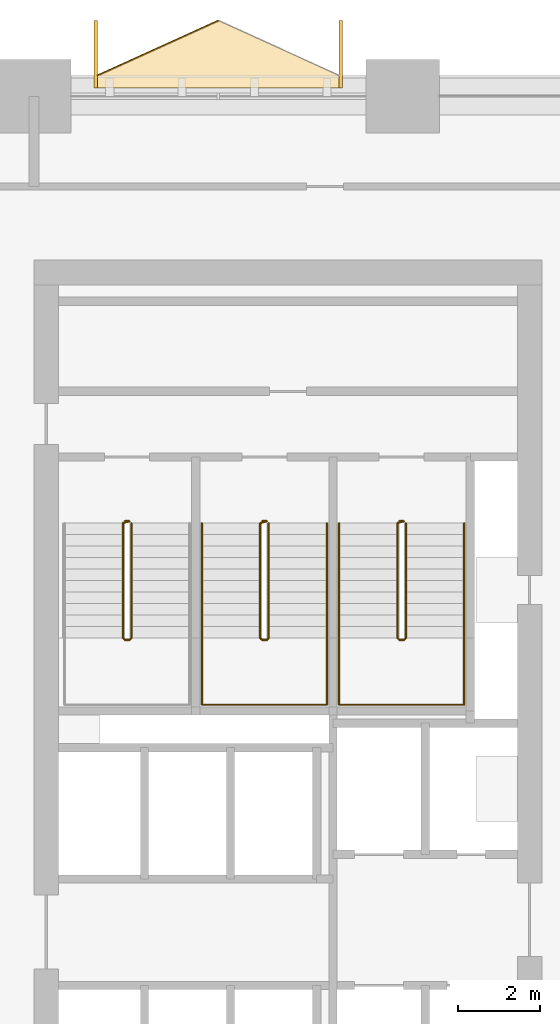
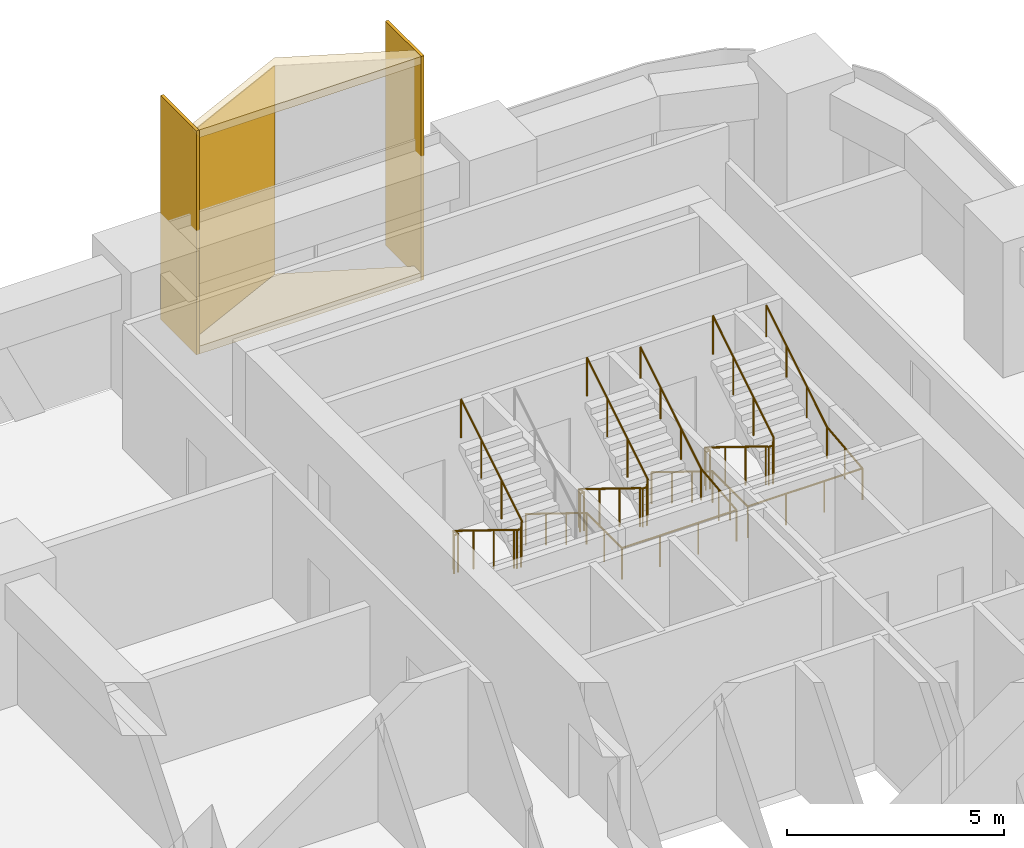
# One storey, part 26 of 26: 5 coverings, 5 railings.
"""IFC4 building model written with IfcOpenShell, lengths in metres."""

from ifc_helpers import new_model, si_unit, direction, frame, origin, origin_2d, place, context, subcontext, project, spatial, polyline, rectangle, circle, outline, extrude, material, layer, layer_set, type_object, element, save


model = new_model("IFC4")

# Units and contexts
model_context = context("Model", 3, precision=1e-05, world=origin(), true_north=direction((0.0, 1.0)))
body_context = subcontext(model_context, "Body", "Model", "MODEL_VIEW")
ifc_project = project(units=[si_unit("LENGTHUNIT", "METRE"), si_unit("AREAUNIT", "SQUARE_METRE"), si_unit("VOLUMEUNIT", "CUBIC_METRE"), si_unit("PLANEANGLEUNIT", "RADIAN"), si_unit("MASSUNIT", "GRAM", prefix="KILO")], contexts=[model_context])

# Site, building, storey
site_placement = place(None, origin())
site = spatial("IfcSite", under=ifc_project, at=site_placement, CompositionType="ELEMENT")
building_placement = place(site_placement, origin())
building = spatial("IfcBuilding", under=site, at=building_placement, Name="Tessera Arch", CompositionType="ELEMENT")
storey_placement = place(building_placement, frame((0.0, 0.0, 96.800048828125)))
storey = spatial("IfcBuildingStorey", under=building, at=storey_placement, Name="L22", CompositionType="ELEMENT", Elevation=96.800048828125)

# Railings
ifc_material_1 = material(Name="Painted steel balustrade", Category="steel")
railing_type_1 = type_object("IfcRailingType", Name="Stair guard 1100", PredefinedType="GUARDRAIL", material=ifc_material_1)
railing_1_placement = place(storey_placement, frame((38.219970703125, 43.6298828125, 0.0)))
element("IfcRailing", 1, at=railing_1_placement, inside=storey, type_object=railing_type_1, Name="L22 S1a stair guard 1", PredefinedType="GUARDRAIL", context=body_context, shape_type="SweptSolid", body=[
    extrude(circle(Radius=0.02392578125, at=origin_2d()), frame((-0.00390625, 0.0, 1.076171875), z_axis=(1.0, 0.0, 0.0), x_axis=(0.0, 1.0, 0.0)), (0.0, 0.0, 1.0), 0.1181640625),
    extrude(circle(Radius=0.02392578125, at=origin_2d()), frame((0.11279296875, 0.000732421875, 1.0732421875), z_axis=(-0.665449600336, -0.206938595226, 0.717184249143), x_axis=(0.296948579431, -0.954893471113, 0.0)), (0.0, 0.0, 1.0), 0.248779296875),
    extrude(circle(Radius=0.02392578125, at=origin_2d()), frame((-0.050048828125, -0.04638671875, 1.24658203125), z_axis=(0.0, -0.851089632645, 0.525020415988), x_axis=(1.0, 0.0, 0.0)), (0.0, 0.0, 1.0), 3.2978515625),
    extrude(circle(Radius=0.02392578125, at=origin_2d()), frame((-0.052978515625, -2.846923828125, 2.97607421875), z_axis=(0.707106781187, -0.707106781187, 0.0), x_axis=(0.707106781187, 0.707106781187, 0.0)), (0.0, 0.0, 1.0), 0.078857421875),
    extrude(circle(Radius=0.02392578125, at=origin_2d()), frame((-0.00390625, -2.89990234375, 2.97607421875), z_axis=(1.0, 0.0, 0.0), x_axis=(0.0, 1.0, 0.0)), (0.0, 0.0, 1.0), 0.1181640625),
    extrude(circle(Radius=0.02392578125, at=origin_2d()), frame((0.109130859375, -2.90087890625, 2.97216796875), z_axis=(0.266739603011, 0.268047150085, 0.925743328097), x_axis=(-0.708833529934, 0.705375805398, 0.0)), (0.0, 0.0, 1.0), 0.19482421875),
    extrude(circle(Radius=0.02392578125, at=origin_2d()), frame((0.159912109375, -2.853271484375, 3.146728515625), z_axis=(0.0, 0.851089632645, 0.525020415988), x_axis=(-1.0, 0.0, 0.0)), (0.0, 0.0, 1.0), 3.2978515625),
    extrude(circle(Radius=0.02099609375, at=origin_2d()), origin(), (0.0, 0.0, 1.0), 1.06396484375),
    extrude(circle(Radius=0.02099609375, at=origin_2d()), frame((0.110107421875, 0.0, 0.0)), (0.0, 0.0, 1.0), 1.06396484375),
    extrude(circle(Radius=0.02099609375, at=origin_2d()), frame((-0.050048828125, -0.0498046875, 0.172607421875)), (0.0, 0.0, 1.0), 1.06396484375),
    extrude(circle(Radius=0.02099609375, at=origin_2d()), frame((-0.050048828125, -0.983154296875, 0.748291015625)), (0.0, 0.0, 1.0), 1.06396484375),
    extrude(circle(Radius=0.02099609375, at=origin_2d()), frame((-0.050048828125, -1.91650390625, 1.32421875)), (0.0, 0.0, 1.0), 1.06396484375),
    extrude(circle(Radius=0.02099609375, at=origin_2d()), frame((-0.050048828125, -2.849853515625, 1.89990234375)), (0.0, 0.0, 1.0), 1.06396484375),
    extrude(circle(Radius=0.02099609375, at=origin_2d()), frame((0.0, -2.89990234375, 1.89990234375)), (0.0, 0.0, 1.0), 1.06396484375),
    extrude(circle(Radius=0.02099609375, at=origin_2d()), frame((0.110107421875, -2.89990234375, 1.89990234375)), (0.0, 0.0, 1.0), 1.06396484375),
    extrude(circle(Radius=0.02099609375, at=origin_2d()), frame((0.159912109375, -2.849853515625, 2.07275390625)), (0.0, 0.0, 1.0), 1.06396484375),
    extrude(circle(Radius=0.02099609375, at=origin_2d()), frame((0.159912109375, -1.91650390625, 2.6484375)), (0.0, 0.0, 1.0), 1.06396484375),
    extrude(circle(Radius=0.02099609375, at=origin_2d()), frame((0.159912109375, -0.983154296875, 3.224365234375)), (0.0, 0.0, 1.0), 1.06396484375),
    extrude(circle(Radius=0.02099609375, at=origin_2d()), frame((0.159912109375, -0.0498046875, 3.800048828125)), (0.0, 0.0, 1.0), 1.06396484375),
])
railing_2_placement = place(storey_placement, frame((41.570068359375, 43.6298828125, 0.0)))
element("IfcRailing", 2, at=railing_2_placement, inside=storey, type_object=railing_type_1, Name="L22 S1b stair guard 1", PredefinedType="GUARDRAIL", context=body_context, shape_type="SweptSolid", body=[
    extrude(circle(Radius=0.02392578125, at=origin_2d()), frame((-0.00390625, 0.0, 1.076171875), z_axis=(1.0, 0.0, 0.0), x_axis=(0.0, 1.0, 0.0)), (0.0, 0.0, 1.0), 0.117919921875),
    extrude(circle(Radius=0.02392578125, at=origin_2d()), frame((0.112548828125, 0.000732421875, 1.0732421875), z_axis=(-0.664883824791, -0.207078321004, 0.717668494851), x_axis=(0.297361876254, -0.954764847777, 0.0)), (0.0, 0.0, 1.0), 0.24853515625),
    extrude(circle(Radius=0.02392578125, at=origin_2d()), frame((-0.050048828125, -0.04638671875, 1.24658203125), z_axis=(0.0, -0.851089632645, 0.525020415988), x_axis=(1.0, 0.0, 0.0)), (0.0, 0.0, 1.0), 3.2978515625),
    extrude(circle(Radius=0.02392578125, at=origin_2d()), frame((-0.052978515625, -2.846923828125, 2.97607421875), z_axis=(0.707106781187, -0.707106781187, 0.0), x_axis=(0.707106781187, 0.707106781187, 0.0)), (0.0, 0.0, 1.0), 0.078857421875),
    extrude(circle(Radius=0.02392578125, at=origin_2d()), frame((-0.00390625, -2.89990234375, 2.97607421875), z_axis=(1.0, 0.0, 0.0), x_axis=(0.0, 1.0, 0.0)), (0.0, 0.0, 1.0), 0.117919921875),
    extrude(circle(Radius=0.02392578125, at=origin_2d()), frame((0.10888671875, -2.90087890625, 2.97216796875), z_axis=(0.267953482034, 0.267953482034, 0.925419830635), x_axis=(-0.707106781187, 0.707106781187, 0.0)), (0.0, 0.0, 1.0), 0.19482421875),
    extrude(circle(Radius=0.02392578125, at=origin_2d()), frame((0.159912109375, -2.853271484375, 3.146728515625), z_axis=(0.0, 0.851089632645, 0.525020415988), x_axis=(-1.0, 0.0, 0.0)), (0.0, 0.0, 1.0), 3.2978515625),
    extrude(circle(Radius=0.02099609375, at=origin_2d()), origin(), (0.0, 0.0, 1.0), 1.06396484375),
    extrude(circle(Radius=0.02099609375, at=origin_2d()), frame((0.10986328125, 0.0, 0.0)), (0.0, 0.0, 1.0), 1.06396484375),
    extrude(circle(Radius=0.02099609375, at=origin_2d()), frame((-0.050048828125, -0.0498046875, 0.172607421875)), (0.0, 0.0, 1.0), 1.06396484375),
    extrude(circle(Radius=0.02099609375, at=origin_2d()), frame((-0.050048828125, -0.983154296875, 0.748291015625)), (0.0, 0.0, 1.0), 1.06396484375),
    extrude(circle(Radius=0.02099609375, at=origin_2d()), frame((-0.050048828125, -1.91650390625, 1.32421875)), (0.0, 0.0, 1.0), 1.06396484375),
    extrude(circle(Radius=0.02099609375, at=origin_2d()), frame((-0.050048828125, -2.849853515625, 1.89990234375)), (0.0, 0.0, 1.0), 1.06396484375),
    extrude(circle(Radius=0.02099609375, at=origin_2d()), frame((0.0, -2.89990234375, 1.89990234375)), (0.0, 0.0, 1.0), 1.06396484375),
    extrude(circle(Radius=0.02099609375, at=origin_2d()), frame((0.10986328125, -2.89990234375, 1.89990234375)), (0.0, 0.0, 1.0), 1.06396484375),
    extrude(circle(Radius=0.02099609375, at=origin_2d()), frame((0.159912109375, -2.849853515625, 2.07275390625)), (0.0, 0.0, 1.0), 1.06396484375),
    extrude(circle(Radius=0.02099609375, at=origin_2d()), frame((0.159912109375, -1.91650390625, 2.6484375)), (0.0, 0.0, 1.0), 1.06396484375),
    extrude(circle(Radius=0.02099609375, at=origin_2d()), frame((0.159912109375, -0.983154296875, 3.224365234375)), (0.0, 0.0, 1.0), 1.06396484375),
    extrude(circle(Radius=0.02099609375, at=origin_2d()), frame((0.159912109375, -0.0498046875, 3.800048828125)), (0.0, 0.0, 1.0), 1.06396484375),
])
railing_3_placement = place(storey_placement, frame((44.919921875, 43.6298828125, 0.0)))
element("IfcRailing", 3, at=railing_3_placement, inside=storey, type_object=railing_type_1, Name="L22 S1c stair guard 1", PredefinedType="GUARDRAIL", context=body_context, shape_type="SweptSolid", body=[
    extrude(circle(Radius=0.02392578125, at=origin_2d()), frame((-0.00390625, 0.0, 1.076171875), z_axis=(1.0, 0.0, 0.0), x_axis=(0.0, 1.0, 0.0)), (0.0, 0.0, 1.0), 0.1181640625),
    extrude(circle(Radius=0.02392578125, at=origin_2d()), frame((0.11279296875, 0.000732421875, 1.0732421875), z_axis=(-0.664883824791, -0.207078321004, 0.717668494851), x_axis=(0.297361876254, -0.954764847777, 0.0)), (0.0, 0.0, 1.0), 0.24853515625),
    extrude(circle(Radius=0.02392578125, at=origin_2d()), frame((-0.0498046875, -0.04638671875, 1.24658203125), z_axis=(0.0, -0.851089632645, 0.525020415988), x_axis=(1.0, 0.0, 0.0)), (0.0, 0.0, 1.0), 3.2978515625),
    extrude(circle(Radius=0.02392578125, at=origin_2d()), frame((-0.052734375, -2.846923828125, 2.97607421875), z_axis=(0.705375805398, -0.708833529934, 0.0), x_axis=(0.708833529934, 0.705375805398, 0.0)), (0.0, 0.0, 1.0), 0.07861328125),
    extrude(circle(Radius=0.02392578125, at=origin_2d()), frame((-0.00390625, -2.89990234375, 2.97607421875), z_axis=(1.0, 0.0, 0.0), x_axis=(0.0, 1.0, 0.0)), (0.0, 0.0, 1.0), 0.1181640625),
    extrude(circle(Radius=0.02392578125, at=origin_2d()), frame((0.109130859375, -2.90087890625, 2.97216796875), z_axis=(0.267953482034, 0.267953482034, 0.925419830635), x_axis=(-0.707106781187, 0.707106781187, 0.0)), (0.0, 0.0, 1.0), 0.19482421875),
    extrude(circle(Radius=0.02392578125, at=origin_2d()), frame((0.16015625, -2.853271484375, 3.146728515625), z_axis=(0.0, 0.851089632645, 0.525020415988), x_axis=(-1.0, 0.0, 0.0)), (0.0, 0.0, 1.0), 3.2978515625),
    extrude(circle(Radius=0.02099609375, at=origin_2d()), origin(), (0.0, 0.0, 1.0), 1.06396484375),
    extrude(circle(Radius=0.02099609375, at=origin_2d()), frame((0.110107421875, 0.0, 0.0)), (0.0, 0.0, 1.0), 1.06396484375),
    extrude(circle(Radius=0.02099609375, at=origin_2d()), frame((-0.0498046875, -0.0498046875, 0.172607421875)), (0.0, 0.0, 1.0), 1.06396484375),
    extrude(circle(Radius=0.02099609375, at=origin_2d()), frame((-0.0498046875, -0.983154296875, 0.748291015625)), (0.0, 0.0, 1.0), 1.06396484375),
    extrude(circle(Radius=0.02099609375, at=origin_2d()), frame((-0.0498046875, -1.91650390625, 1.32421875)), (0.0, 0.0, 1.0), 1.06396484375),
    extrude(circle(Radius=0.02099609375, at=origin_2d()), frame((-0.0498046875, -2.849853515625, 1.89990234375)), (0.0, 0.0, 1.0), 1.06396484375),
    extrude(circle(Radius=0.02099609375, at=origin_2d()), frame((0.0, -2.89990234375, 1.89990234375)), (0.0, 0.0, 1.0), 1.06396484375),
    extrude(circle(Radius=0.02099609375, at=origin_2d()), frame((0.110107421875, -2.89990234375, 1.89990234375)), (0.0, 0.0, 1.0), 1.06396484375),
    extrude(circle(Radius=0.02099609375, at=origin_2d()), frame((0.16015625, -2.849853515625, 2.07275390625)), (0.0, 0.0, 1.0), 1.06396484375),
    extrude(circle(Radius=0.02099609375, at=origin_2d()), frame((0.16015625, -1.91650390625, 2.6484375)), (0.0, 0.0, 1.0), 1.06396484375),
    extrude(circle(Radius=0.02099609375, at=origin_2d()), frame((0.16015625, -0.983154296875, 3.224365234375)), (0.0, 0.0, 1.0), 1.06396484375),
    extrude(circle(Radius=0.02099609375, at=origin_2d()), frame((0.16015625, -0.0498046875, 3.800048828125)), (0.0, 0.0, 1.0), 1.06396484375),
])
ifc_material_2 = material(Name="Painted steel handrail", Category="steel")
railing_type_2 = type_object("IfcRailingType", Name="Stair handrail 900", PredefinedType="HANDRAIL", material=ifc_material_2)
railing_4_placement = place(storey_placement, frame((40.10009765625, 43.580078125, 0.172607421875)))
element("IfcRailing", 4, at=railing_4_placement, inside=storey, type_object=railing_type_2, Name="L22 S1b stair handrail", PredefinedType="HANDRAIL", context=body_context, shape_type="SweptSolid", body=[
    extrude(circle(Radius=0.02392578125, at=origin_2d()), frame((0.0, 0.00341796875, 0.873779296875), z_axis=(0.0, -0.851089632645, 0.525020415988), x_axis=(1.0, 0.0, 0.0)), (0.0, 0.0, 1.0), 3.2978515625),
    extrude(circle(Radius=0.02392578125, at=origin_2d()), frame((0.0, -2.796142578125, 2.60302734375), z_axis=(0.0, -1.0, 0.0), x_axis=(1.0, 0.0, 0.0)), (0.0, 0.0, 1.0), 1.63818359375),
    extrude(circle(Radius=0.02392578125, at=origin_2d()), frame((-0.00390625, -4.43017578125, 2.60302734375), z_axis=(1.0, 0.0, 0.0), x_axis=(0.0, 1.0, 0.0)), (0.0, 0.0, 1.0), 3.057861328125),
    extrude(circle(Radius=0.02392578125, at=origin_2d()), frame((3.0498046875, -4.43408203125, 2.602783203125), z_axis=(0.0, 0.994425187763, 0.105444515941), x_axis=(-1.0, 0.0, 0.0)), (0.0, 0.0, 1.0), 1.647216796875),
    extrude(circle(Radius=0.02392578125, at=origin_2d()), frame((3.0498046875, -2.803466796875, 2.77392578125), z_axis=(0.0, 0.851089632645, 0.525020415988), x_axis=(-1.0, 0.0, 0.0)), (0.0, 0.0, 1.0), 3.2978515625),
    extrude(circle(Radius=0.02099609375, at=origin_2d()), origin(), (0.0, 0.0, 1.0), 0.86376953125),
    extrude(circle(Radius=0.02099609375, at=origin_2d()), frame((0.0, -0.933349609375, 0.57568359375)), (0.0, 0.0, 1.0), 0.86376953125),
    extrude(circle(Radius=0.02099609375, at=origin_2d()), frame((0.0, -1.86669921875, 1.151611328125)), (0.0, 0.0, 1.0), 0.86376953125),
    extrude(circle(Radius=0.02099609375, at=origin_2d()), frame((0.0, -2.800048828125, 1.727294921875)), (0.0, 0.0, 1.0), 0.86376953125),
    extrude(circle(Radius=0.02099609375, at=origin_2d()), frame((0.0, -3.615234375, 1.727294921875)), (0.0, 0.0, 1.0), 0.86376953125),
    extrude(circle(Radius=0.02099609375, at=origin_2d()), frame((0.0, -4.43017578125, 1.727294921875)), (0.0, 0.0, 1.0), 0.86376953125),
    extrude(circle(Radius=0.02099609375, at=origin_2d()), frame((1.0166015625, -4.43017578125, 1.727294921875)), (0.0, 0.0, 1.0), 0.86376953125),
    extrude(circle(Radius=0.02099609375, at=origin_2d()), frame((2.033203125, -4.43017578125, 1.727294921875)), (0.0, 0.0, 1.0), 0.86376953125),
    extrude(circle(Radius=0.02099609375, at=origin_2d()), frame((3.0498046875, -4.43017578125, 1.727294921875)), (0.0, 0.0, 1.0), 0.86376953125),
    extrude(circle(Radius=0.02099609375, at=origin_2d()), frame((3.0498046875, -3.615234375, 1.813720703125)), (0.0, 0.0, 1.0), 0.86376953125),
    extrude(circle(Radius=0.02099609375, at=origin_2d()), frame((3.0498046875, -2.800048828125, 1.900146484375)), (0.0, 0.0, 1.0), 0.86376953125),
    extrude(circle(Radius=0.02099609375, at=origin_2d()), frame((3.0498046875, -1.86669921875, 2.475830078125)), (0.0, 0.0, 1.0), 0.86376953125),
    extrude(circle(Radius=0.02099609375, at=origin_2d()), frame((3.0498046875, -0.933349609375, 3.0517578125)), (0.0, 0.0, 1.0), 0.86376953125),
    extrude(circle(Radius=0.02099609375, at=origin_2d()), frame((3.0498046875, 0.0, 3.62744140625)), (0.0, 0.0, 1.0), 0.86376953125),
])
railing_5_placement = place(storey_placement, frame((43.449951171875, 43.580078125, 0.172607421875)))
element("IfcRailing", 5, at=railing_5_placement, inside=storey, type_object=railing_type_2, Name="L22 S1c stair handrail", PredefinedType="HANDRAIL", context=body_context, shape_type="SweptSolid", body=[
    extrude(circle(Radius=0.02392578125, at=origin_2d()), frame((0.0, 0.00341796875, 0.873779296875), z_axis=(0.0, -0.851089632645, 0.525020415988), x_axis=(1.0, 0.0, 0.0)), (0.0, 0.0, 1.0), 3.2978515625),
    extrude(circle(Radius=0.02392578125, at=origin_2d()), frame((0.0, -2.796142578125, 2.60302734375), z_axis=(0.0, -1.0, 0.0), x_axis=(1.0, 0.0, 0.0)), (0.0, 0.0, 1.0), 1.63818359375),
    extrude(circle(Radius=0.02392578125, at=origin_2d()), frame((-0.00390625, -4.43017578125, 2.60302734375), z_axis=(1.0, 0.0, 0.0), x_axis=(0.0, 1.0, 0.0)), (0.0, 0.0, 1.0), 3.05810546875),
    extrude(circle(Radius=0.02392578125, at=origin_2d()), frame((3.050048828125, -4.43408203125, 2.602783203125), z_axis=(0.0, 0.994425187763, 0.105444515941), x_axis=(-1.0, 0.0, 0.0)), (0.0, 0.0, 1.0), 1.647216796875),
    extrude(circle(Radius=0.02392578125, at=origin_2d()), frame((3.050048828125, -2.803466796875, 2.77392578125), z_axis=(0.0, 0.851089632645, 0.525020415988), x_axis=(-1.0, 0.0, 0.0)), (0.0, 0.0, 1.0), 3.2978515625),
    extrude(circle(Radius=0.02099609375, at=origin_2d()), origin(), (0.0, 0.0, 1.0), 0.86376953125),
    extrude(circle(Radius=0.02099609375, at=origin_2d()), frame((0.0, -0.933349609375, 0.57568359375)), (0.0, 0.0, 1.0), 0.86376953125),
    extrude(circle(Radius=0.02099609375, at=origin_2d()), frame((0.0, -1.86669921875, 1.151611328125)), (0.0, 0.0, 1.0), 0.86376953125),
    extrude(circle(Radius=0.02099609375, at=origin_2d()), frame((0.0, -2.800048828125, 1.727294921875)), (0.0, 0.0, 1.0), 0.86376953125),
    extrude(circle(Radius=0.02099609375, at=origin_2d()), frame((0.0, -3.615234375, 1.727294921875)), (0.0, 0.0, 1.0), 0.86376953125),
    extrude(circle(Radius=0.02099609375, at=origin_2d()), frame((0.0, -4.43017578125, 1.727294921875)), (0.0, 0.0, 1.0), 0.86376953125),
    extrude(circle(Radius=0.02099609375, at=origin_2d()), frame((1.0166015625, -4.43017578125, 1.727294921875)), (0.0, 0.0, 1.0), 0.86376953125),
    extrude(circle(Radius=0.02099609375, at=origin_2d()), frame((2.033447265625, -4.43017578125, 1.727294921875)), (0.0, 0.0, 1.0), 0.86376953125),
    extrude(circle(Radius=0.02099609375, at=origin_2d()), frame((3.050048828125, -4.43017578125, 1.727294921875)), (0.0, 0.0, 1.0), 0.86376953125),
    extrude(circle(Radius=0.02099609375, at=origin_2d()), frame((3.050048828125, -3.615234375, 1.813720703125)), (0.0, 0.0, 1.0), 0.86376953125),
    extrude(circle(Radius=0.02099609375, at=origin_2d()), frame((3.050048828125, -2.800048828125, 1.900146484375)), (0.0, 0.0, 1.0), 0.86376953125),
    extrude(circle(Radius=0.02099609375, at=origin_2d()), frame((3.050048828125, -1.86669921875, 2.475830078125)), (0.0, 0.0, 1.0), 0.86376953125),
    extrude(circle(Radius=0.02099609375, at=origin_2d()), frame((3.050048828125, -0.933349609375, 3.0517578125)), (0.0, 0.0, 1.0), 0.86376953125),
    extrude(circle(Radius=0.02099609375, at=origin_2d()), frame((3.050048828125, 0.0, 3.62744140625)), (0.0, 0.0, 1.0), 0.86376953125),
])

# Coverings
ifc_material_3 = material(Name="Anodised aluminium pale metal", Category="aluminium")
ifc_layer_1 = layer(ifc_material_3, 0.080078125)
ifc_layer_set_1 = layer_set([ifc_layer_1], Name="Window box cheek")
covering_type_1 = type_object("IfcCoveringType", Name="Window box cheek", PredefinedType="CLADDING", material=ifc_layer_set_1)
covering_1_placement = place(storey_placement, origin())
element("IfcCovering", 6, at=covering_1_placement, inside=storey, type_object=covering_type_1, Name="Window box N54.0/0.0 2x2 cheek", PredefinedType="CLADDING", context=body_context, shape_type="SweptSolid", body=[
    extrude(outline(polyline([(43.530029296875, 55.85009765625), (43.449951171875, 55.85009765625), (43.449951171875, 54.199951171875), (43.530029296875, 54.199951171875), (43.530029296875, 55.85009765625)])), origin(), (0.0, 0.0, 1.0), 6.300048828125),
])
covering_2_placement = place(storey_placement, origin())
element("IfcCovering", 7, at=covering_2_placement, inside=storey, type_object=covering_type_1, Name="Window box N54.0/0.0 2x2 cheek", PredefinedType="CLADDING", context=body_context, shape_type="SweptSolid", body=[
    extrude(outline(polyline([(37.550048828125, 55.85009765625), (37.469970703125, 55.85009765625), (37.469970703125, 54.199951171875), (37.550048828125, 54.199951171875), (37.550048828125, 55.85009765625)])), origin(), (0.0, 0.0, 1.0), 6.300048828125),
])
ifc_material_4 = material(Name="Anodised aluminium pale metal", Category="aluminium")
ifc_layer_2 = layer(ifc_material_4, 0.219970703125)
ifc_layer_set_2 = layer_set([ifc_layer_2], Name="Window box frame plate pale metal")
covering_type_2 = type_object("IfcCoveringType", Name="Window box frame plate pale metal", PredefinedType="CLADDING", material=ifc_layer_set_2)
covering_3_placement = place(storey_placement, origin())
element("IfcCovering", 8, at=covering_3_placement, inside=storey, type_object=covering_type_2, Name="Window box N54.0/0.0 2x2 floor", PredefinedType="CLADDING", context=body_context, shape_type="SweptSolid", body=[
    extrude(outline(polyline([(43.449951171875, 54.510009765625), (40.5, 55.85009765625), (37.550048828125, 54.510009765625), (37.550048828125, 54.199951171875), (43.449951171875, 54.199951171875), (43.449951171875, 54.510009765625)])), origin(), (0.0, 0.0, 1.0), 0.219970703125),
])
covering_4_placement = place(storey_placement, frame((0.0, 0.0, 6.079833984375)))
element("IfcCovering", 9, at=covering_4_placement, inside=storey, type_object=covering_type_2, Name="Window box N54.0/0.0 2x2 roof", PredefinedType="CLADDING", context=body_context, shape_type="SweptSolid", body=[
    extrude(outline(polyline([(43.449951171875, 54.510009765625), (40.5, 55.85009765625), (37.550048828125, 54.510009765625), (37.550048828125, 54.199951171875), (43.449951171875, 54.199951171875), (43.449951171875, 54.510009765625)])), origin(), (0.0, 0.0, 1.0), 0.22021484375),
])
ifc_material_5 = material(Name="Anodised aluminium pale metal", Category="aluminium")
ifc_layer_3 = layer(ifc_material_5, 0.028076171875)
ifc_layer_set_3 = layer_set([ifc_layer_3], Name="Window box side panel")
covering_type_3 = type_object("IfcCoveringType", Name="Window box side panel", PredefinedType="CLADDING", material=ifc_layer_set_3)
covering_5_placement = place(storey_placement, frame((39.02490234375, 55.179931640625, 0.2197265625), z_axis=(0.0, 0.0, 1.0), x_axis=(0.910472144558, 0.413570397858, 0.0)))
element("IfcCovering", 10, at=covering_5_placement, inside=storey, type_object=covering_type_3, Name="Window box N54.0/0.0 2x2 side panel", PredefinedType="CLADDING", context=body_context, shape_type="SweptSolid", body=[
    extrude(rectangle(XDim=3.239990234375, YDim=0.028076171875, at=origin_2d()), origin(), (0.0, 0.0, 1.0), 5.860107421875),
])

save(model, "model.ifc")
